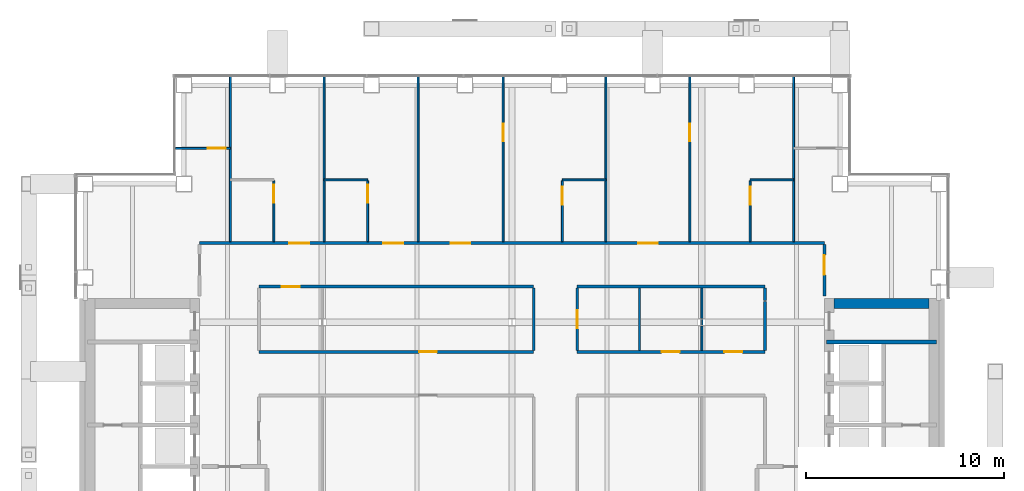
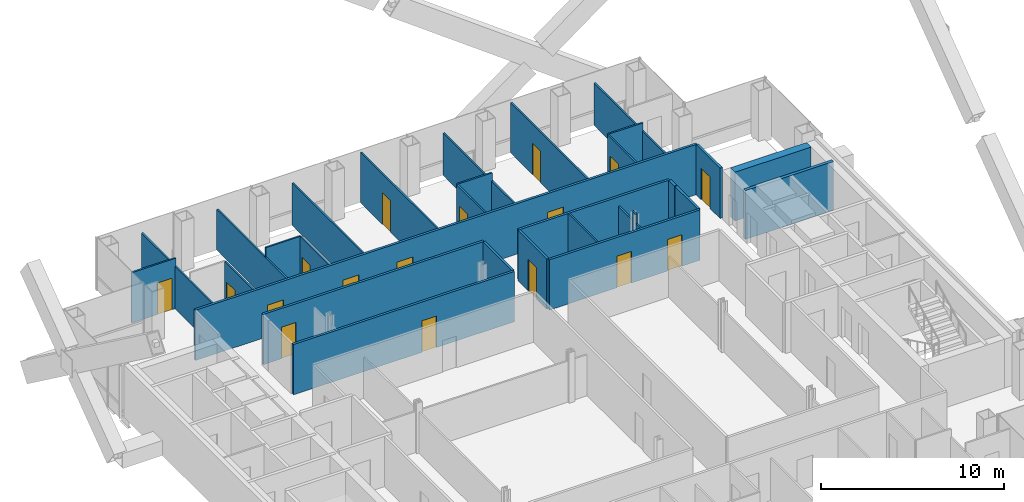
# One storey, part 15 of 18: 31 walls, 17 doors, 17 openings.
"""IFC4 building model written with IfcOpenShell, lengths in metres."""

from ifc_helpers import new_model, si_unit, direction, frame, frame_2d, origin, place, context, subcontext, project, spatial, rectangle, extrude, material, layer, layer_set, type_object, element, fill, save


model = new_model("IFC4")

# Units and contexts
model_context = context("Model", 3, precision=1e-05, world=origin(), true_north=direction((0.0, 1.0)))
body_context = subcontext(model_context, "Body", "Model", "MODEL_VIEW")
ifc_project = project(units=[si_unit("LENGTHUNIT", "METRE"), si_unit("AREAUNIT", "SQUARE_METRE"), si_unit("VOLUMEUNIT", "CUBIC_METRE"), si_unit("PLANEANGLEUNIT", "RADIAN"), si_unit("MASSUNIT", "GRAM", prefix="KILO")], contexts=[model_context])

# Site, building, storey
site_placement = place(None, origin())
site = spatial("IfcSite", under=ifc_project, at=site_placement, CompositionType="ELEMENT")
building_placement = place(site_placement, origin())
building = spatial("IfcBuilding", under=site, at=building_placement, Name="Cobrizo Arcos Hotel Tower", CompositionType="ELEMENT")
storey_placement = place(building_placement, frame((0.0, 0.0, 165.5)))
storey = spatial("IfcBuildingStorey", under=building, at=storey_placement, Name="L42", CompositionType="ELEMENT", Elevation=165.5)

# Wall, opening, door
ifc_material_1 = material(Name="Gypsum board partition")
ifc_layer_1 = layer(ifc_material_1, 0.14990234375)
ifc_layer_set_1 = layer_set([ifc_layer_1], Name="Corridor wall EI 60 150")
wall_type_1 = type_object("IfcWallType", Name="Corridor wall EI 60 150", PredefinedType="PARTITIONING", material=ifc_layer_set_1)
wall_1_placement = place(storey_placement, frame((-12.800048828125, 8.10009765625, 0.0), z_axis=(0.0, 0.0, 1.0), x_axis=(1.0, 0.0, 0.0)))
wall_1 = element("IfcWall", 1, at=wall_1_placement, inside=storey, type_object=wall_type_1, Name="Partition 033", PredefinedType="PARTITIONING", context=body_context, shape_type="SweptSolid", body=[
    extrude(rectangle(XDim=13.900146484375, YDim=0.14990234375, at=frame_2d((6.9501953125, 0.0))), origin(), (0.0, 0.0, 1.0), 3.35009765625),
])
opening_1_placement = place(wall_1_placement, frame((8.10009765625, 0.0, 0.0)))
opening_1 = element("IfcOpeningElement", 2, at=opening_1_placement, cuts=wall_1, Name="Opening RD-16", PredefinedType="OPENING", context=body_context, shape_type="SweptSolid", body=[
    extrude(rectangle(XDim=0.89990234375, YDim=2.10009765625, at=frame_2d((0.449951171875, 1.050048828125))), frame((0.0, 0.0869140625, 0.0), z_axis=(0.0, -1.0, 0.0), x_axis=(1.0, 0.0, 0.0)), (0.0, 0.0, 1.0), 0.173828125),
])
ifc_material_2 = material(Name="Timber door leaf", Category="wood")
door_type_1 = type_object("IfcDoorType", Name="Room door FD30 900x2100", OperationType="SINGLE_SWING_LEFT", PredefinedType="DOOR", material=ifc_material_2)
door_1_placement = place(opening_1_placement, origin())
door_1 = element("IfcDoor", 3, at=door_1_placement, inside=storey, type_object=door_type_1, Name="Door RD-16", OperationType="SINGLE_SWING_LEFT", OverallHeight=2.10009765625, OverallWidth=0.89990234375, PredefinedType="DOOR", context=body_context, shape_type="SweptSolid", body=[
    extrude(rectangle(XDim=0.89990234375, YDim=2.10009765625, at=frame_2d((0.449951171875, 1.050048828125))), frame((0.0, 0.02490234375, 0.0), z_axis=(0.0, -1.0, 0.0), x_axis=(1.0, 0.0, 0.0)), (0.0, 0.0, 1.0), 0.050048828125),
])
fill(opening_1, door_1)

# Wall, openings, doors
wall_2_placement = place(storey_placement, frame((3.300048828125, 8.10009765625, 0.0), z_axis=(0.0, 0.0, 1.0), x_axis=(1.0, 0.0, 0.0)))
wall_2 = element("IfcWall", 4, at=wall_2_placement, inside=storey, type_object=wall_type_1, Name="Partition 034", PredefinedType="PARTITIONING", context=body_context, shape_type="SweptSolid", body=[
    extrude(rectangle(XDim=9.5, YDim=0.14990234375, at=frame_2d((4.75, 0.0))), origin(), (0.0, 0.0, 1.0), 3.35009765625),
])
opening_2_placement = place(wall_2_placement, frame((7.449951171875, 0.0, 0.0)))
opening_2 = element("IfcOpeningElement", 5, at=opening_2_placement, cuts=wall_2, Name="Opening RD-13", PredefinedType="OPENING", context=body_context, shape_type="SweptSolid", body=[
    extrude(rectangle(XDim=0.89990234375, YDim=2.10009765625, at=frame_2d((0.449951171875, 1.050048828125))), frame((0.0, 0.0869140625, 0.0), z_axis=(0.0, -1.0, 0.0), x_axis=(1.0, 0.0, 0.0)), (0.0, 0.0, 1.0), 0.173828125),
])
opening_3_placement = place(wall_2_placement, frame((4.27490234375, 0.0, 0.0)))
opening_3 = element("IfcOpeningElement", 6, at=opening_3_placement, cuts=wall_2, Name="Opening ED-13", PredefinedType="OPENING", context=body_context, shape_type="SweptSolid", body=[
    extrude(rectangle(XDim=0.89990234375, YDim=2.10009765625, at=frame_2d((0.449951171875, 1.050048828125))), frame((0.0, 0.0869140625, 0.0), z_axis=(0.0, -1.0, 0.0), x_axis=(1.0, 0.0, 0.0)), (0.0, 0.0, 1.0), 0.173828125),
])
door_type_2 = type_object("IfcDoorType", Name="En-suite door 900x2100", OperationType="SINGLE_SWING_LEFT", PredefinedType="DOOR", material=ifc_material_2)
door_2_placement = place(opening_3_placement, origin())
door_2 = element("IfcDoor", 7, at=door_2_placement, inside=storey, type_object=door_type_2, Name="Door ED-13", OperationType="SINGLE_SWING_LEFT", OverallHeight=2.10009765625, OverallWidth=0.89990234375, PredefinedType="DOOR", context=body_context, shape_type="SweptSolid", body=[
    extrude(rectangle(XDim=0.89990234375, YDim=2.10009765625, at=frame_2d((0.449951171875, 1.050048828125))), frame((0.0, 0.02490234375, 0.0), z_axis=(0.0, -1.0, 0.0), x_axis=(1.0, 0.0, 0.0)), (0.0, 0.0, 1.0), 0.050048828125),
])
fill(opening_3, door_2)
door_3_placement = place(opening_2_placement, origin())
door_3 = element("IfcDoor", 8, at=door_3_placement, inside=storey, type_object=door_type_1, Name="Door RD-13", OperationType="SINGLE_SWING_RIGHT", OverallHeight=2.10009765625, OverallWidth=0.89990234375, PredefinedType="DOOR", context=body_context, shape_type="SweptSolid", body=[
    extrude(rectangle(XDim=0.89990234375, YDim=2.10009765625, at=frame_2d((0.449951171875, 1.050048828125))), frame((0.0, 0.02490234375, 0.0), z_axis=(0.0, -1.0, 0.0), x_axis=(1.0, 0.0, 0.0)), (0.0, 0.0, 1.0), 0.050048828125),
])
fill(opening_2, door_3)

# Wall, opening, door
wall_3_placement = place(storey_placement, frame((-12.800048828125, 11.39990234375, 0.0), z_axis=(0.0, 0.0, 1.0), x_axis=(1.0, 0.0, 0.0)))
wall_3 = element("IfcWall", 9, at=wall_3_placement, inside=storey, type_object=wall_type_1, Name="Partition 037", PredefinedType="PARTITIONING", context=body_context, shape_type="SweptSolid", body=[
    extrude(rectangle(XDim=13.900146484375, YDim=0.14990234375, at=frame_2d((6.9501953125, 0.0))), origin(), (0.0, 0.0, 1.0), 3.35009765625),
])
opening_4_placement = place(wall_3_placement, frame((1.14990234375, 0.0, 0.0)))
opening_4 = element("IfcOpeningElement", 10, at=opening_4_placement, cuts=wall_3, Name="Opening RD-14", PredefinedType="OPENING", context=body_context, shape_type="SweptSolid", body=[
    extrude(rectangle(XDim=0.89990234375, YDim=2.10009765625, at=frame_2d((0.449951171875, 1.050048828125))), frame((0.0, 0.0869140625, 0.0), z_axis=(0.0, -1.0, 0.0), x_axis=(1.0, 0.0, 0.0)), (0.0, 0.0, 1.0), 0.173828125),
])
door_4_placement = place(opening_4_placement, origin())
door_4 = element("IfcDoor", 11, at=door_4_placement, inside=storey, type_object=door_type_1, Name="Door RD-14", OperationType="SINGLE_SWING_RIGHT", OverallHeight=2.10009765625, OverallWidth=0.89990234375, PredefinedType="DOOR", context=body_context, shape_type="SweptSolid", body=[
    extrude(rectangle(XDim=0.89990234375, YDim=2.10009765625, at=frame_2d((0.449951171875, 1.050048828125))), frame((0.0, 0.02490234375, 0.0), z_axis=(0.0, -1.0, 0.0), x_axis=(1.0, 0.0, 0.0)), (0.0, 0.0, 1.0), 0.050048828125),
])
fill(opening_4, door_4)

# Wall
wall_4_placement = place(storey_placement, frame((3.300048828125, 11.39990234375, 0.0), z_axis=(0.0, 0.0, 1.0), x_axis=(1.0, 0.0, 0.0)))
element("IfcWall", 12, at=wall_4_placement, inside=storey, type_object=wall_type_1, Name="Partition 038", PredefinedType="PARTITIONING", context=body_context, shape_type="SweptSolid", body=[
    extrude(rectangle(XDim=9.5, YDim=0.14990234375, at=frame_2d((4.75, 0.0))), origin(), (0.0, 0.0, 1.0), 3.35009765625),
])

# Wall, openings, doors
wall_5_placement = place(storey_placement, frame((-15.800048828125, 13.60009765625, 0.0), z_axis=(0.0, 0.0, 1.0), x_axis=(1.0, 0.0, 0.0)))
wall_5 = element("IfcWall", 13, at=wall_5_placement, inside=storey, type_object=wall_type_1, Name="Partition 039", PredefinedType="PARTITIONING", context=body_context, shape_type="SweptSolid", body=[
    extrude(rectangle(XDim=31.60009765625, YDim=0.14990234375, at=frame_2d((15.800048828125, 0.0))), origin(), (0.0, 0.0, 1.0), 3.35009765625),
])
opening_5_placement = place(wall_5_placement, frame((4.54296875, 0.0, 0.0)))
opening_5 = element("IfcOpeningElement", 14, at=opening_5_placement, cuts=wall_5, Name="Opening GD-01", PredefinedType="OPENING", context=body_context, shape_type="SweptSolid", body=[
    extrude(rectangle(XDim=1.0, YDim=2.10009765625, at=frame_2d((0.5, 1.050048828125))), frame((0.0, 0.0869140625, 0.0), z_axis=(0.0, -1.0, 0.0), x_axis=(1.0, 0.0, 0.0)), (0.0, 0.0, 1.0), 0.173828125),
])
opening_6_placement = place(wall_5_placement, frame((9.285888671875, 0.0, 0.0)))
opening_6 = element("IfcOpeningElement", 15, at=opening_6_placement, cuts=wall_5, Name="Opening GD-02", PredefinedType="OPENING", context=body_context, shape_type="SweptSolid", body=[
    extrude(rectangle(XDim=1.0, YDim=2.10009765625, at=frame_2d((0.5, 1.050048828125))), frame((0.0, 0.0869140625, 0.0), z_axis=(0.0, -1.0, 0.0), x_axis=(1.0, 0.0, 0.0)), (0.0, 0.0, 1.0), 0.173828125),
])
opening_7_placement = place(wall_5_placement, frame((12.69189453125, 0.0, 0.0)))
opening_7 = element("IfcOpeningElement", 16, at=opening_7_placement, cuts=wall_5, Name="Opening GD-03", PredefinedType="OPENING", context=body_context, shape_type="SweptSolid", body=[
    extrude(rectangle(XDim=1.0, YDim=2.10009765625, at=frame_2d((0.5, 1.050048828125))), frame((0.0, 0.0869140625, 0.0), z_axis=(0.0, -1.0, 0.0), x_axis=(1.0, 0.0, 0.0)), (0.0, 0.0, 1.0), 0.173828125),
])
opening_8_placement = place(wall_5_placement, frame((22.177978515625, 0.0, 0.0)))
opening_8 = element("IfcOpeningElement", 17, at=opening_8_placement, cuts=wall_5, Name="Opening GD-04", PredefinedType="OPENING", context=body_context, shape_type="SweptSolid", body=[
    extrude(rectangle(XDim=1.0, YDim=2.10009765625, at=frame_2d((0.5, 1.050048828125))), frame((0.0, 0.0869140625, 0.0), z_axis=(0.0, -1.0, 0.0), x_axis=(1.0, 0.0, 0.0)), (0.0, 0.0, 1.0), 0.173828125),
])
door_type_3 = type_object("IfcDoorType", Name="Guest room door FD30S 1000x2100", OperationType="SINGLE_SWING_LEFT", PredefinedType="DOOR", material=ifc_material_2)
door_5_placement = place(opening_5_placement, origin())
door_5 = element("IfcDoor", 18, at=door_5_placement, inside=storey, type_object=door_type_3, Name="Door GD-01", OperationType="SINGLE_SWING_RIGHT", OverallHeight=2.10009765625, OverallWidth=1.0, PredefinedType="DOOR", context=body_context, shape_type="SweptSolid", body=[
    extrude(rectangle(XDim=1.0, YDim=2.10009765625, at=frame_2d((0.5, 1.050048828125))), frame((0.0, 0.02490234375, 0.0), z_axis=(0.0, -1.0, 0.0), x_axis=(1.0, 0.0, 0.0)), (0.0, 0.0, 1.0), 0.050048828125),
])
fill(opening_5, door_5)
door_6_placement = place(opening_6_placement, origin())
door_6 = element("IfcDoor", 19, at=door_6_placement, inside=storey, type_object=door_type_3, Name="Door GD-02", OperationType="SINGLE_SWING_LEFT", OverallHeight=2.10009765625, OverallWidth=1.0, PredefinedType="DOOR", context=body_context, shape_type="SweptSolid", body=[
    extrude(rectangle(XDim=1.0, YDim=2.10009765625, at=frame_2d((0.5, 1.050048828125))), frame((0.0, 0.02490234375, 0.0), z_axis=(0.0, -1.0, 0.0), x_axis=(1.0, 0.0, 0.0)), (0.0, 0.0, 1.0), 0.050048828125),
])
fill(opening_6, door_6)
door_7_placement = place(opening_7_placement, origin())
door_7 = element("IfcDoor", 20, at=door_7_placement, inside=storey, type_object=door_type_3, Name="Door GD-03", OperationType="SINGLE_SWING_RIGHT", OverallHeight=2.10009765625, OverallWidth=1.0, PredefinedType="DOOR", context=body_context, shape_type="SweptSolid", body=[
    extrude(rectangle(XDim=1.0, YDim=2.10009765625, at=frame_2d((0.5, 1.050048828125))), frame((0.0, 0.02490234375, 0.0), z_axis=(0.0, -1.0, 0.0), x_axis=(1.0, 0.0, 0.0)), (0.0, 0.0, 1.0), 0.050048828125),
])
fill(opening_7, door_7)
door_8_placement = place(opening_8_placement, origin())
door_8 = element("IfcDoor", 21, at=door_8_placement, inside=storey, type_object=door_type_3, Name="Door GD-04", OperationType="SINGLE_SWING_LEFT", OverallHeight=2.10009765625, OverallWidth=1.0, PredefinedType="DOOR", context=body_context, shape_type="SweptSolid", body=[
    extrude(rectangle(XDim=1.0, YDim=2.10009765625, at=frame_2d((0.5, 1.050048828125))), frame((0.0, 0.02490234375, 0.0), z_axis=(0.0, -1.0, 0.0), x_axis=(1.0, 0.0, 0.0)), (0.0, 0.0, 1.0), 0.050048828125),
])
fill(opening_8, door_8)

# Wall
wall_6_placement = place(storey_placement, frame((1.10009765625, 8.175048828125, 0.0), z_axis=(0.0, 0.0, 1.0), x_axis=(0.0, 1.0, 0.0)))
element("IfcWall", 22, at=wall_6_placement, inside=storey, type_object=wall_type_1, Name="Partition 076", PredefinedType="PARTITIONING", context=body_context, shape_type="SweptSolid", body=[
    extrude(rectangle(XDim=3.14990234375, YDim=0.14990234375, at=frame_2d((1.574951171875, 0.0))), origin(), (0.0, 0.0, 1.0), 3.35009765625),
])

# Wall, opening, door
wall_7_placement = place(storey_placement, frame((3.300048828125, 8.175048828125, 0.0), z_axis=(0.0, 0.0, 1.0), x_axis=(0.0, 1.0, 0.0)))
wall_7 = element("IfcWall", 23, at=wall_7_placement, inside=storey, type_object=wall_type_1, Name="Partition 080", PredefinedType="PARTITIONING", context=body_context, shape_type="SweptSolid", body=[
    extrude(rectangle(XDim=3.14990234375, YDim=0.14990234375, at=frame_2d((1.574951171875, 0.0))), origin(), (0.0, 0.0, 1.0), 3.35009765625),
])
opening_9_placement = place(wall_7_placement, frame((1.125, 0.0, 0.0)))
opening_9 = element("IfcOpeningElement", 24, at=opening_9_placement, cuts=wall_7, Name="Opening ED-12", PredefinedType="OPENING", context=body_context, shape_type="SweptSolid", body=[
    extrude(rectangle(XDim=0.89990234375, YDim=2.10009765625, at=frame_2d((0.449951171875, 1.050048828125))), frame((0.0, 0.0869140625, 0.0), z_axis=(0.0, -1.0, 0.0), x_axis=(1.0, 0.0, 0.0)), (0.0, 0.0, 1.0), 0.173828125),
])
door_9_placement = place(opening_9_placement, origin())
door_9 = element("IfcDoor", 25, at=door_9_placement, inside=storey, type_object=door_type_2, Name="Door ED-12", OperationType="SINGLE_SWING_RIGHT", OverallHeight=2.10009765625, OverallWidth=0.89990234375, PredefinedType="DOOR", context=body_context, shape_type="SweptSolid", body=[
    extrude(rectangle(XDim=0.89990234375, YDim=2.10009765625, at=frame_2d((0.449951171875, 1.050048828125))), frame((0.0, 0.02490234375, 0.0), z_axis=(0.0, -1.0, 0.0), x_axis=(1.0, 0.0, 0.0)), (0.0, 0.0, 1.0), 0.050048828125),
])
fill(opening_9, door_9)

# Walls
wall_8_placement = place(storey_placement, frame((12.800048828125, 8.175048828125, 0.0), z_axis=(0.0, 0.0, 1.0), x_axis=(0.0, 1.0, 0.0)))
element("IfcWall", 26, at=wall_8_placement, inside=storey, type_object=wall_type_1, Name="Partition 099", PredefinedType="PARTITIONING", context=body_context, shape_type="SweptSolid", body=[
    extrude(rectangle(XDim=2.474853515625, YDim=0.14990234375, at=frame_2d((1.2373046875, 0.0))), origin(), (0.0, 0.0, 1.0), 3.35009765625),
])
wall_9_placement = place(storey_placement, frame((12.800048828125, 10.699951171875, 0.0), z_axis=(0.0, 0.0, 1.0), x_axis=(0.0, 1.0, 0.0)))
element("IfcWall", 27, at=wall_9_placement, inside=storey, type_object=wall_type_1, Name="Partition 100", PredefinedType="PARTITIONING", context=body_context, shape_type="SweptSolid", body=[
    extrude(rectangle(XDim=0.625, YDim=0.14990234375, at=frame_2d((0.3125, 0.0))), origin(), (0.0, 0.0, 1.0), 3.35009765625),
])

# Wall, opening, door
wall_10_placement = place(storey_placement, frame((15.800048828125, 10.919921875, 0.0), z_axis=(0.0, 0.0, 1.0), x_axis=(0.0, 1.0, 0.0)))
wall_10 = element("IfcWall", 28, at=wall_10_placement, inside=storey, type_object=wall_type_1, Name="Partition 104", PredefinedType="PARTITIONING", context=body_context, shape_type="SweptSolid", body=[
    extrude(rectangle(XDim=2.60498046875, YDim=0.14990234375, at=frame_2d((1.302490234375, 0.0))), origin(), (0.0, 0.0, 1.0), 3.35009765625),
])
opening_10_placement = place(wall_10_placement, frame((1.080078125, 0.0, 0.0)))
opening_10 = element("IfcOpeningElement", 29, at=opening_10_placement, cuts=wall_10, Name="Opening GD-11", PredefinedType="OPENING", context=body_context, shape_type="SweptSolid", body=[
    extrude(rectangle(XDim=1.0, YDim=2.10009765625, at=frame_2d((0.5, 1.050048828125))), frame((0.0, 0.0869140625, 0.0), z_axis=(0.0, -1.0, 0.0), x_axis=(1.0, 0.0, 0.0)), (0.0, 0.0, 1.0), 0.173828125),
])
door_10_placement = place(opening_10_placement, origin())
door_10 = element("IfcDoor", 30, at=door_10_placement, inside=storey, type_object=door_type_3, Name="Door GD-11", OperationType="SINGLE_SWING_LEFT", OverallHeight=2.10009765625, OverallWidth=1.0, PredefinedType="DOOR", context=body_context, shape_type="SweptSolid", body=[
    extrude(rectangle(XDim=1.0, YDim=2.10009765625, at=frame_2d((0.5, 1.050048828125))), frame((0.0, 0.02490234375, 0.0), z_axis=(0.0, -1.0, 0.0), x_axis=(1.0, 0.0, 0.0)), (0.0, 0.0, 1.0), 0.050048828125),
])
fill(opening_10, door_10)

# Walls
ifc_layer_2 = layer(ifc_material_1, 0.10009765625)
ifc_layer_set_2 = layer_set([ifc_layer_2], Name="Partition EI 30 100")
wall_type_2 = type_object("IfcWallType", Name="Partition EI 30 100", PredefinedType="PARTITIONING", material=ifc_layer_set_2)
for number, where, z_axis, x_axis, name in (
    (31, (-9.5, 16.800048828125, 0.0), (0.0, 0.0, 1.0), (1.0, 0.0, 0.0), "Partition 041"),
    (32, (2.550048828125, 16.800048828125, 0.0), (0.0, 0.0, 1.0), (1.0, 0.0, 0.0), "Partition 042"),
    (33, (12.050048828125, 16.800048828125, 0.0), (0.0, 0.0, 1.0), (1.0, 0.0, 0.0), "Partition 043"),
):
    element("IfcWall", number, at=place(storey_placement, frame(where, z_axis=z_axis, x_axis=x_axis)), inside=storey, type_object=wall_type_2, Name=name, PredefinedType="PARTITIONING", context=body_context, shape_type="SweptSolid", body=[
        extrude(rectangle(XDim=2.199951171875, YDim=0.10009765625, at=frame_2d((1.10009765625, 0.0))), origin(), (0.0, 0.0, 1.0), 3.35009765625),
    ])

# Wall, opening, door
wall_11_placement = place(storey_placement, frame((-17.030029296875, 18.39990234375, 0.0), z_axis=(0.0, 0.0, 1.0), x_axis=(1.0, 0.0, 0.0)))
wall_11 = element("IfcWall", 34, at=wall_11_placement, inside=storey, type_object=wall_type_2, Name="Partition 044", PredefinedType="PARTITIONING", context=body_context, shape_type="SweptSolid", body=[
    extrude(rectangle(XDim=2.780029296875, YDim=0.10009765625, at=frame_2d((1.39013671875, 0.0))), origin(), (0.0, 0.0, 1.0), 3.35009765625),
])
opening_11_placement = place(wall_11_placement, frame((1.639892578125, 0.0, 0.0)))
opening_11 = element("IfcOpeningElement", 35, at=opening_11_placement, cuts=wall_11, Name="Opening ED-09", PredefinedType="OPENING", context=body_context, shape_type="SweptSolid", body=[
    extrude(rectangle(XDim=0.89990234375, YDim=2.10009765625, at=frame_2d((0.449951171875, 1.050048828125))), frame((0.0, 0.06201171875, 0.0), z_axis=(0.0, -1.0, 0.0), x_axis=(1.0, 0.0, 0.0)), (0.0, 0.0, 1.0), 0.1240234375),
])
door_11_placement = place(opening_11_placement, origin())
door_11 = element("IfcDoor", 36, at=door_11_placement, inside=storey, type_object=door_type_2, Name="Door ED-09", OperationType="SINGLE_SWING_RIGHT", OverallHeight=2.10009765625, OverallWidth=0.89990234375, PredefinedType="DOOR", context=body_context, shape_type="SweptSolid", body=[
    extrude(rectangle(XDim=0.89990234375, YDim=2.10009765625, at=frame_2d((0.449951171875, 1.050048828125))), frame((0.0, 0.02490234375, 0.0), z_axis=(0.0, -1.0, 0.0), x_axis=(1.0, 0.0, 0.0)), (0.0, 0.0, 1.0), 0.050048828125),
])
fill(opening_11, door_11)

# Wall
wall_12_placement = place(storey_placement, frame((-14.25, 13.675048828125, 0.0), z_axis=(0.0, 0.0, 1.0), x_axis=(0.0, 1.0, 0.0)))
element("IfcWall", 37, at=wall_12_placement, inside=storey, type_object=wall_type_2, Name="Partition 053", PredefinedType="PARTITIONING", context=body_context, shape_type="SweptSolid", body=[
    extrude(rectangle(XDim=8.35498046875, YDim=0.10009765625, at=frame_2d((4.177490234375, 0.0))), origin(), (0.0, 0.0, 1.0), 2.81689453125),
])

# Wall, opening, door
wall_13_placement = place(storey_placement, frame((-12.050048828125, 13.675048828125, 0.0), z_axis=(0.0, 0.0, 1.0), x_axis=(0.0, 1.0, 0.0)))
wall_13 = element("IfcWall", 38, at=wall_13_placement, inside=storey, type_object=wall_type_2, Name="Partition 059", PredefinedType="PARTITIONING", context=body_context, shape_type="SweptSolid", body=[
    extrude(rectangle(XDim=3.074951171875, YDim=0.10009765625, at=frame_2d((1.53759765625, 0.0))), origin(), (0.0, 0.0, 1.0), 3.35009765625),
])
opening_12_placement = place(wall_13_placement, frame((1.970947265625, 0.0, 0.0)))
opening_12 = element("IfcOpeningElement", 39, at=opening_12_placement, cuts=wall_13, Name="Opening ED-01", PredefinedType="OPENING", context=body_context, shape_type="SweptSolid", body=[
    extrude(rectangle(XDim=0.89990234375, YDim=2.10009765625, at=frame_2d((0.449951171875, 1.050048828125))), frame((0.0, 0.06201171875, 0.0), z_axis=(0.0, -1.0, 0.0), x_axis=(1.0, 0.0, 0.0)), (0.0, 0.0, 1.0), 0.1240234375),
])
door_12_placement = place(opening_12_placement, origin())
door_12 = element("IfcDoor", 40, at=door_12_placement, inside=storey, type_object=door_type_2, Name="Door ED-01", OperationType="SINGLE_SWING_RIGHT", OverallHeight=2.10009765625, OverallWidth=0.89990234375, PredefinedType="DOOR", context=body_context, shape_type="SweptSolid", body=[
    extrude(rectangle(XDim=0.89990234375, YDim=2.10009765625, at=frame_2d((0.449951171875, 1.050048828125))), frame((0.0, 0.02490234375, 0.0), z_axis=(0.0, -1.0, 0.0), x_axis=(1.0, 0.0, 0.0)), (0.0, 0.0, 1.0), 0.050048828125),
])
fill(opening_12, door_12)

# Wall
wall_14_placement = place(storey_placement, frame((-9.5, 13.675048828125, 0.0), z_axis=(0.0, 0.0, 1.0), x_axis=(0.0, 1.0, 0.0)))
element("IfcWall", 41, at=wall_14_placement, inside=storey, type_object=wall_type_2, Name="Partition 067", PredefinedType="PARTITIONING", context=body_context, shape_type="SweptSolid", body=[
    extrude(rectangle(XDim=8.35498046875, YDim=0.10009765625, at=frame_2d((4.177490234375, 0.0))), origin(), (0.0, 0.0, 1.0), 2.72802734375),
])

# Wall, opening, door
wall_15_placement = place(storey_placement, frame((-7.300048828125, 13.675048828125, 0.0), z_axis=(0.0, 0.0, 1.0), x_axis=(0.0, 1.0, 0.0)))
wall_15 = element("IfcWall", 42, at=wall_15_placement, inside=storey, type_object=wall_type_2, Name="Partition 069", PredefinedType="PARTITIONING", context=body_context, shape_type="SweptSolid", body=[
    extrude(rectangle(XDim=3.074951171875, YDim=0.10009765625, at=frame_2d((1.53759765625, 0.0))), origin(), (0.0, 0.0, 1.0), 3.35009765625),
])
opening_13_placement = place(wall_15_placement, frame((1.970947265625, 0.0, 0.0)))
opening_13 = element("IfcOpeningElement", 43, at=opening_13_placement, cuts=wall_15, Name="Opening ED-02", PredefinedType="OPENING", context=body_context, shape_type="SweptSolid", body=[
    extrude(rectangle(XDim=0.89990234375, YDim=2.10009765625, at=frame_2d((0.449951171875, 1.050048828125))), frame((0.0, 0.06201171875, 0.0), z_axis=(0.0, -1.0, 0.0), x_axis=(1.0, 0.0, 0.0)), (0.0, 0.0, 1.0), 0.1240234375),
])
door_13_placement = place(opening_13_placement, origin())
door_13 = element("IfcDoor", 44, at=door_13_placement, inside=storey, type_object=door_type_2, Name="Door ED-02", OperationType="SINGLE_SWING_LEFT", OverallHeight=2.10009765625, OverallWidth=0.89990234375, PredefinedType="DOOR", context=body_context, shape_type="SweptSolid", body=[
    extrude(rectangle(XDim=0.89990234375, YDim=2.10009765625, at=frame_2d((0.449951171875, 1.050048828125))), frame((0.0, 0.02490234375, 0.0), z_axis=(0.0, -1.0, 0.0), x_axis=(1.0, 0.0, 0.0)), (0.0, 0.0, 1.0), 0.050048828125),
])
fill(opening_13, door_13)

# Wall
wall_16_placement = place(storey_placement, frame((-4.75, 13.675048828125, 0.0), z_axis=(0.0, 0.0, 1.0), x_axis=(0.0, 1.0, 0.0)))
element("IfcWall", 45, at=wall_16_placement, inside=storey, type_object=wall_type_2, Name="Partition 070", PredefinedType="PARTITIONING", context=body_context, shape_type="SweptSolid", body=[
    extrude(rectangle(XDim=8.35498046875, YDim=0.10009765625, at=frame_2d((4.177490234375, 0.0))), origin(), (0.0, 0.0, 1.0), 2.81689453125),
])

# Wall, opening, door
wall_17_placement = place(storey_placement, frame((-0.449951171875, 13.675048828125, 0.0), z_axis=(0.0, 0.0, 1.0), x_axis=(0.0, 1.0, 0.0)))
wall_17 = element("IfcWall", 46, at=wall_17_placement, inside=storey, type_object=wall_type_2, Name="Partition 072", PredefinedType="PARTITIONING", context=body_context, shape_type="SweptSolid", body=[
    extrude(rectangle(XDim=8.35498046875, YDim=0.10009765625, at=frame_2d((4.177490234375, 0.0))), origin(), (0.0, 0.0, 1.0), 3.35009765625),
])
opening_14_placement = place(wall_17_placement, frame((5.074951171875, 0.0, 0.0)))
opening_14 = element("IfcOpeningElement", 47, at=opening_14_placement, cuts=wall_17, Name="Opening RD-09", PredefinedType="OPENING", context=body_context, shape_type="SweptSolid", body=[
    extrude(rectangle(XDim=0.89990234375, YDim=2.10009765625, at=frame_2d((0.449951171875, 1.050048828125))), frame((0.0, 0.06201171875, 0.0), z_axis=(0.0, -1.0, 0.0), x_axis=(1.0, 0.0, 0.0)), (0.0, 0.0, 1.0), 0.1240234375),
])
door_14_placement = place(opening_14_placement, origin())
door_14 = element("IfcDoor", 48, at=door_14_placement, inside=storey, type_object=door_type_1, Name="Door RD-09", OperationType="SINGLE_SWING_LEFT", OverallHeight=2.10009765625, OverallWidth=0.89990234375, PredefinedType="DOOR", context=body_context, shape_type="SweptSolid", body=[
    extrude(rectangle(XDim=0.89990234375, YDim=2.10009765625, at=frame_2d((0.449951171875, 1.050048828125))), frame((0.0, 0.02490234375, 0.0), z_axis=(0.0, -1.0, 0.0), x_axis=(1.0, 0.0, 0.0)), (0.0, 0.0, 1.0), 0.050048828125),
])
fill(opening_14, door_14)

wall_18_placement = place(storey_placement, frame((2.550048828125, 13.675048828125, 0.0), z_axis=(0.0, 0.0, 1.0), x_axis=(0.0, 1.0, 0.0)))
wall_18 = element("IfcWall", 49, at=wall_18_placement, inside=storey, type_object=wall_type_2, Name="Partition 078", PredefinedType="PARTITIONING", context=body_context, shape_type="SweptSolid", body=[
    extrude(rectangle(XDim=3.074951171875, YDim=0.10009765625, at=frame_2d((1.53759765625, 0.0))), origin(), (0.0, 0.0, 1.0), 3.35009765625),
])
opening_15_placement = place(wall_18_placement, frame((1.875, 0.0, 0.0)))
opening_15 = element("IfcOpeningElement", 50, at=opening_15_placement, cuts=wall_18, Name="Opening ED-03", PredefinedType="OPENING", context=body_context, shape_type="SweptSolid", body=[
    extrude(rectangle(XDim=0.89990234375, YDim=2.10009765625, at=frame_2d((0.449951171875, 1.050048828125))), frame((0.0, 0.06201171875, 0.0), z_axis=(0.0, -1.0, 0.0), x_axis=(1.0, 0.0, 0.0)), (0.0, 0.0, 1.0), 0.1240234375),
])
door_15_placement = place(opening_15_placement, origin())
door_15 = element("IfcDoor", 51, at=door_15_placement, inside=storey, type_object=door_type_2, Name="Door ED-03", OperationType="SINGLE_SWING_RIGHT", OverallHeight=2.10009765625, OverallWidth=0.89990234375, PredefinedType="DOOR", context=body_context, shape_type="SweptSolid", body=[
    extrude(rectangle(XDim=0.89990234375, YDim=2.10009765625, at=frame_2d((0.449951171875, 1.050048828125))), frame((0.0, 0.02490234375, 0.0), z_axis=(0.0, -1.0, 0.0), x_axis=(1.0, 0.0, 0.0)), (0.0, 0.0, 1.0), 0.050048828125),
])
fill(opening_15, door_15)

# Walls
wall_19_placement = place(storey_placement, frame((4.75, 13.675048828125, 0.0), z_axis=(0.0, 0.0, 1.0), x_axis=(0.0, 1.0, 0.0)))
element("IfcWall", 52, at=wall_19_placement, inside=storey, type_object=wall_type_2, Name="Partition 082", PredefinedType="PARTITIONING", context=body_context, shape_type="SweptSolid", body=[
    extrude(rectangle(XDim=8.35498046875, YDim=0.10009765625, at=frame_2d((4.177490234375, 0.0))), origin(), (0.0, 0.0, 1.0), 2.81689453125),
])
wall_20_placement = place(storey_placement, frame((6.449951171875, 8.175048828125, 0.0), z_axis=(0.0, 0.0, 1.0), x_axis=(0.0, 1.0, 0.0)))
element("IfcWall", 53, at=wall_20_placement, inside=storey, type_object=wall_type_2, Name="Partition 083", PredefinedType="PARTITIONING", context=body_context, shape_type="SweptSolid", body=[
    extrude(rectangle(XDim=3.14990234375, YDim=0.10009765625, at=frame_2d((1.574951171875, 0.0))), origin(), (0.0, 0.0, 1.0), 3.35009765625),
])

# Wall, opening, door
wall_21_placement = place(storey_placement, frame((9.0, 13.675048828125, 0.0), z_axis=(0.0, 0.0, 1.0), x_axis=(0.0, 1.0, 0.0)))
wall_21 = element("IfcWall", 54, at=wall_21_placement, inside=storey, type_object=wall_type_2, Name="Partition 085", PredefinedType="PARTITIONING", context=body_context, shape_type="SweptSolid", body=[
    extrude(rectangle(XDim=8.35498046875, YDim=0.10009765625, at=frame_2d((4.177490234375, 0.0))), origin(), (0.0, 0.0, 1.0), 3.35009765625),
])
opening_16_placement = place(wall_21_placement, frame((5.074951171875, 0.0, 0.0)))
opening_16 = element("IfcOpeningElement", 55, at=opening_16_placement, cuts=wall_21, Name="Opening RD-10", PredefinedType="OPENING", context=body_context, shape_type="SweptSolid", body=[
    extrude(rectangle(XDim=0.89990234375, YDim=2.10009765625, at=frame_2d((0.449951171875, 1.050048828125))), frame((0.0, 0.06201171875, 0.0), z_axis=(0.0, -1.0, 0.0), x_axis=(1.0, 0.0, 0.0)), (0.0, 0.0, 1.0), 0.1240234375),
])
door_16_placement = place(opening_16_placement, origin())
door_16 = element("IfcDoor", 56, at=door_16_placement, inside=storey, type_object=door_type_1, Name="Door RD-10", OperationType="SINGLE_SWING_RIGHT", OverallHeight=2.10009765625, OverallWidth=0.89990234375, PredefinedType="DOOR", context=body_context, shape_type="SweptSolid", body=[
    extrude(rectangle(XDim=0.89990234375, YDim=2.10009765625, at=frame_2d((0.449951171875, 1.050048828125))), frame((0.0, 0.02490234375, 0.0), z_axis=(0.0, -1.0, 0.0), x_axis=(1.0, 0.0, 0.0)), (0.0, 0.0, 1.0), 0.050048828125),
])
fill(opening_16, door_16)

# Walls
wall_22_placement = place(storey_placement, frame((9.60009765625, 8.175048828125, 0.0), z_axis=(0.0, 0.0, 1.0), x_axis=(0.0, 1.0, 0.0)))
element("IfcWall", 57, at=wall_22_placement, inside=storey, type_object=wall_type_2, Name="Partition 091", PredefinedType="PARTITIONING", context=body_context, shape_type="SweptSolid", body=[
    extrude(rectangle(XDim=1.238037109375, YDim=0.10009765625, at=frame_2d((0.619140625, 0.0))), origin(), (0.0, 0.0, 1.0), 2.72802734375),
])
wall_23_placement = place(storey_placement, frame((9.60009765625, 9.4130859375, 0.0), z_axis=(0.0, 0.0, 1.0), x_axis=(0.0, 1.0, 0.0)))
element("IfcWall", 58, at=wall_23_placement, inside=storey, type_object=wall_type_2, Name="Partition 092", PredefinedType="PARTITIONING", context=body_context, shape_type="SweptSolid", body=[
    extrude(rectangle(XDim=0.3740234375, YDim=0.10009765625, at=frame_2d((0.18701171875, 0.0))), origin(), (0.0, 0.0, 1.0), 3.35009765625),
])
wall_24_placement = place(storey_placement, frame((9.60009765625, 9.787109375, 0.0), z_axis=(0.0, 0.0, 1.0), x_axis=(0.0, 1.0, 0.0)))
element("IfcWall", 59, at=wall_24_placement, inside=storey, type_object=wall_type_2, Name="Partition 093", PredefinedType="PARTITIONING", context=body_context, shape_type="SweptSolid", body=[
    extrude(rectangle(XDim=1.537841796875, YDim=0.10009765625, at=frame_2d((0.76904296875, 0.0))), origin(), (0.0, 0.0, 1.0), 2.72802734375),
])

# Wall, opening, door
wall_25_placement = place(storey_placement, frame((12.050048828125, 13.675048828125, 0.0), z_axis=(0.0, 0.0, 1.0), x_axis=(0.0, 1.0, 0.0)))
wall_25 = element("IfcWall", 60, at=wall_25_placement, inside=storey, type_object=wall_type_2, Name="Partition 095", PredefinedType="PARTITIONING", context=body_context, shape_type="SweptSolid", body=[
    extrude(rectangle(XDim=3.074951171875, YDim=0.10009765625, at=frame_2d((1.53759765625, 0.0))), origin(), (0.0, 0.0, 1.0), 3.35009765625),
])
opening_17_placement = place(wall_25_placement, frame((1.875, 0.0, 0.0)))
opening_17 = element("IfcOpeningElement", 61, at=opening_17_placement, cuts=wall_25, Name="Opening ED-04", PredefinedType="OPENING", context=body_context, shape_type="SweptSolid", body=[
    extrude(rectangle(XDim=0.89990234375, YDim=2.10009765625, at=frame_2d((0.449951171875, 1.050048828125))), frame((0.0, 0.06201171875, 0.0), z_axis=(0.0, -1.0, 0.0), x_axis=(1.0, 0.0, 0.0)), (0.0, 0.0, 1.0), 0.1240234375),
])
door_17_placement = place(opening_17_placement, origin())
door_17 = element("IfcDoor", 62, at=door_17_placement, inside=storey, type_object=door_type_2, Name="Door ED-04", OperationType="SINGLE_SWING_RIGHT", OverallHeight=2.10009765625, OverallWidth=0.89990234375, PredefinedType="DOOR", context=body_context, shape_type="SweptSolid", body=[
    extrude(rectangle(XDim=0.89990234375, YDim=2.10009765625, at=frame_2d((0.449951171875, 1.050048828125))), frame((0.0, 0.02490234375, 0.0), z_axis=(0.0, -1.0, 0.0), x_axis=(1.0, 0.0, 0.0)), (0.0, 0.0, 1.0), 0.050048828125),
])
fill(opening_17, door_17)

# Walls
wall_26_placement = place(storey_placement, frame((14.25, 13.675048828125, 0.0), z_axis=(0.0, 0.0, 1.0), x_axis=(0.0, 1.0, 0.0)))
element("IfcWall", 63, at=wall_26_placement, inside=storey, type_object=wall_type_2, Name="Partition 102", PredefinedType="PARTITIONING", context=body_context, shape_type="SweptSolid", body=[
    extrude(rectangle(XDim=8.35498046875, YDim=0.10009765625, at=frame_2d((4.177490234375, 0.0))), origin(), (0.0, 0.0, 1.0), 2.81689453125),
])
ifc_material_3 = material(Name="Concrete f'c 50 MPa", Category="concrete")
ifc_layer_3 = layer(ifc_material_3, 0.5)
ifc_layer_set_3 = layer_set([ifc_layer_3], Name="RC core wall 500 f'c 50")
wall_type_3 = type_object("IfcWallType", Name="RC core wall 500 f'c 50", PredefinedType="SHEAR", material=ifc_layer_set_3)
wall_27_placement = place(storey_placement, frame((16.300048828125, 10.550048828125, 0.0), z_axis=(0.0, 0.0, 1.0), x_axis=(1.0, 0.0, 0.0)))
element("IfcWall", 64, at=wall_27_placement, inside=storey, type_object=wall_type_3, Name="Core wall CW3, east core, north end, L42", PredefinedType="SHEAR", context=body_context, shape_type="SweptSolid", body=[
    extrude(rectangle(XDim=4.800048828125, YDim=0.5, at=frame_2d((2.39990234375, 0.0))), origin(), (0.0, 0.0, 1.0), 3.25),
])
ifc_layer_4 = layer(ifc_material_1, 0.199951171875)
ifc_layer_set_4 = layer_set([ifc_layer_4], Name="Shaft wall EI 120 200")
wall_type_4 = type_object("IfcWallType", Name="Shaft wall EI 120 200", PredefinedType="PARTITIONING", material=ifc_layer_set_4)
wall_28_placement = place(storey_placement, frame((15.919921875, 8.60009765625, 0.0), z_axis=(0.0, 0.0, 1.0), x_axis=(1.0, 0.0, 0.0)))
element("IfcWall", 65, at=wall_28_placement, inside=storey, type_object=wall_type_4, Name="Partition 036", PredefinedType="PARTITIONING", context=body_context, shape_type="SweptSolid", body=[
    extrude(rectangle(XDim=5.56005859375, YDim=0.199951171875, at=frame_2d((2.780029296875, 0.0))), origin(), (0.0, 0.0, 1.0), 3.25),
])

save(model, "model.ifc")
